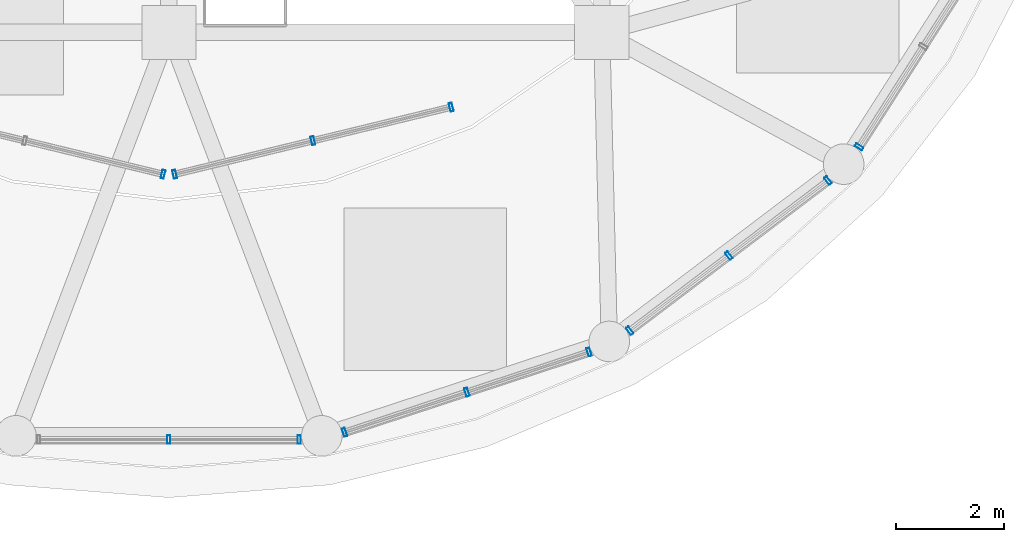
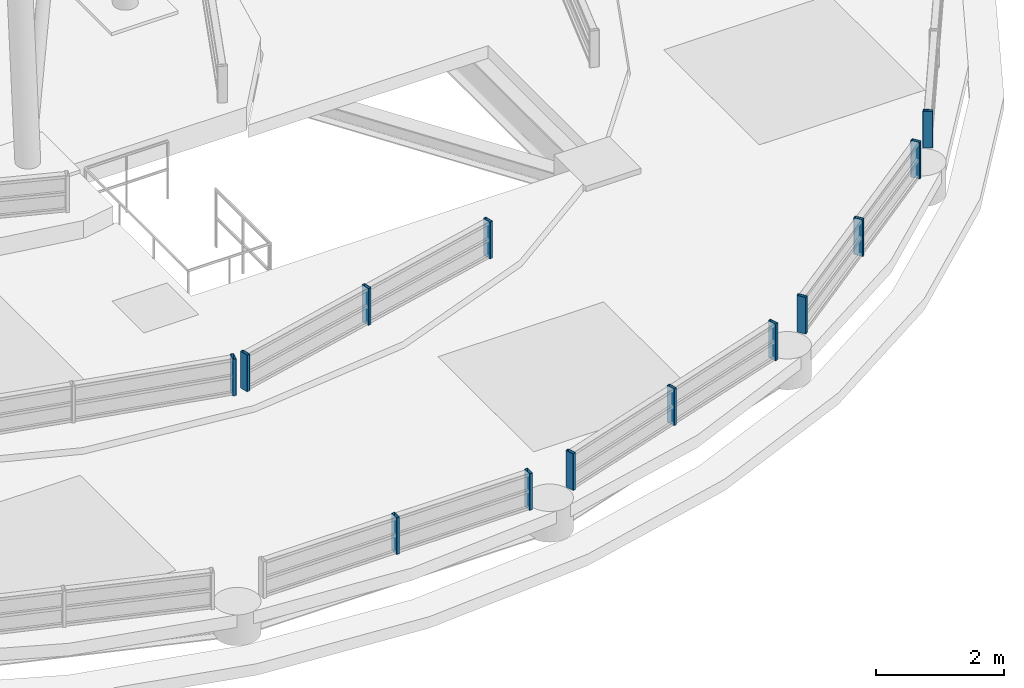
# One storey, part 10 of 21: 13 members, 6 elements without a shape of their own.
"""IFC4 building model written with IfcOpenShell, lengths in metres."""

from ifc_helpers import new_model, si_unit, direction, frame, origin, origin_2d, place, context, subcontext, project, spatial, hollow_rectangle, extrude, material, layer, layer_set, material_profile, profile_set, type_object, element, aggregate, save


model = new_model("IFC4")

# Units and contexts
model_context = context("Model", 3, precision=1e-05, world=origin(), true_north=direction((0.0, 1.0)))
body_context = subcontext(model_context, "Body", "Model", "MODEL_VIEW")
ifc_project = project(units=[si_unit("LENGTHUNIT", "METRE"), si_unit("AREAUNIT", "SQUARE_METRE"), si_unit("VOLUMEUNIT", "CUBIC_METRE"), si_unit("PLANEANGLEUNIT", "RADIAN"), si_unit("MASSUNIT", "GRAM", prefix="KILO")], contexts=[model_context])

# Site, building, storey
site_placement = place(None, origin())
site = spatial("IfcSite", under=ifc_project, at=site_placement, CompositionType="ELEMENT")
building_placement = place(site_placement, origin())
building = spatial("IfcBuilding", under=site, at=building_placement, Name="Kelanora Arch Commons", CompositionType="ELEMENT")
storey_placement = place(building_placement, frame((0.0, 0.0, 311.10009765625)))
storey = spatial("IfcBuildingStorey", under=building, at=storey_placement, Name="RF", CompositionType="ELEMENT", Elevation=311.10009765625)

# Curtain wall, members
ifc_material_1 = material(Name="Terracotta ceramic-fritted low-E glass and aluminium", Category="masonry")
ifc_layer = layer(ifc_material_1, 0.14990234375)
ifc_layer_set = layer_set([ifc_layer], Name="Terracotta ceramic-fritted low-E glass and aluminium")
curtain_wall_type = type_object("IfcCurtainWallType", Name="CW-SYS-06", PredefinedType="NOTDEFINED", material=ifc_layer_set)
curtain_wall_1_placement = place(storey_placement, origin())
curtain_wall_1 = element("IfcCurtainWall", 1, at=curtain_wall_1_placement, inside=storey, type_object=curtain_wall_type, Name="Sloped Glass Crown Lantern T1-14", PredefinedType="NOTDEFINED")
ifc_material_2 = material(Name="Powder-coated aluminium terracotta", Category="masonry")
ifc_material_profile = material_profile(ifc_material_2, hollow_rectangle(XDim=0.159912109375, YDim=0.06005859375, WallThickness=0.0048828125, InnerFilletRadius=0.0048828125, OuterFilletRadius=0.010009765625, at=origin_2d()), Name="CWM160x60")
ifc_profile_set = profile_set([ifc_material_profile], Name="Powder-coated aluminium terracotta")
member_type = type_object("IfcMemberType", Name="CWM-STD", PredefinedType="MULLION", material=ifc_profile_set)
member_1_placement = place(storey_placement, frame((74.0, 43.47412109375, 0.58984375), z_axis=(0.0, 0.0, 1.0), x_axis=(0.0, 1.0, 0.0)))
member_1 = element("IfcMember", 2, at=member_1_placement, type_object=member_type, Name="CW-06 mullion 2", PredefinedType="MULLION", context=body_context, shape_type="SweptSolid", body=[
    extrude(hollow_rectangle(XDim=0.159912109375, YDim=0.06005859375, WallThickness=0.0048828125, InnerFilletRadius=0.0048828125, OuterFilletRadius=0.010009765625, at=origin_2d()), origin(), (0.0, 0.0, 1.0), 0.699951171875),
])
member_2_placement = place(storey_placement, frame((76.4091796875, 43.47412109375, 0.58984375), z_axis=(0.0, 0.0, 1.0), x_axis=(0.0, 1.0, 0.0)))
member_2 = element("IfcMember", 3, at=member_2_placement, type_object=member_type, Name="CW-06 mullion 3", PredefinedType="MULLION", context=body_context, shape_type="SweptSolid", body=[
    extrude(hollow_rectangle(XDim=0.159912109375, YDim=0.06005859375, WallThickness=0.0048828125, InnerFilletRadius=0.0048828125, OuterFilletRadius=0.010009765625, at=origin_2d()), origin(), (0.0, 0.0, 1.0), 0.699951171875),
])
aggregate(curtain_wall_1, [member_1, member_2])

curtain_wall_2_placement = place(storey_placement, origin())
curtain_wall_2 = element("IfcCurtainWall", 4, at=curtain_wall_2_placement, inside=storey, type_object=curtain_wall_type, Name="Sloped Glass Crown Lantern T1-15", PredefinedType="NOTDEFINED")
member_3_placement = place(storey_placement, frame((77.24755859375, 43.608154296875, 0.58984375), z_axis=(0.0, 0.0, 1.0), x_axis=(-0.311945267732, 0.950100073645, 0.0)))
member_3 = element("IfcMember", 5, at=member_3_placement, type_object=member_type, Name="CW-06 mullion 1", PredefinedType="MULLION", context=body_context, shape_type="SweptSolid", body=[
    extrude(hollow_rectangle(XDim=0.159912109375, YDim=0.06005859375, WallThickness=0.0048828125, InnerFilletRadius=0.0048828125, OuterFilletRadius=0.010009765625, at=origin_2d()), origin(), (0.0, 0.0, 1.0), 0.699951171875),
])
member_4_placement = place(storey_placement, frame((79.507080078125, 44.35009765625, 0.58984375), z_axis=(0.0, 0.0, 1.0), x_axis=(-0.311945267732, 0.950100073645, 0.0)))
member_4 = element("IfcMember", 6, at=member_4_placement, type_object=member_type, Name="CW-06 mullion 2", PredefinedType="MULLION", context=body_context, shape_type="SweptSolid", body=[
    extrude(hollow_rectangle(XDim=0.159912109375, YDim=0.06005859375, WallThickness=0.0048828125, InnerFilletRadius=0.0048828125, OuterFilletRadius=0.010009765625, at=origin_2d()), origin(), (0.0, 0.0, 1.0), 0.699951171875),
])
member_5_placement = place(storey_placement, frame((81.7666015625, 45.092041015625, 0.58984375), z_axis=(0.0, 0.0, 1.0), x_axis=(-0.311945267732, 0.950100073645, 0.0)))
member_5 = element("IfcMember", 7, at=member_5_placement, type_object=member_type, Name="CW-06 mullion 3", PredefinedType="MULLION", context=body_context, shape_type="SweptSolid", body=[
    extrude(hollow_rectangle(XDim=0.159912109375, YDim=0.06005859375, WallThickness=0.0048828125, InnerFilletRadius=0.0048828125, OuterFilletRadius=0.010009765625, at=origin_2d()), origin(), (0.0, 0.0, 1.0), 0.699951171875),
])
aggregate(curtain_wall_2, [member_3, member_4, member_5])

curtain_wall_3_placement = place(storey_placement, origin())
curtain_wall_3 = element("IfcCurtainWall", 8, at=curtain_wall_3_placement, inside=storey, type_object=curtain_wall_type, Name="Sloped Glass Crown Lantern T1-16", PredefinedType="NOTDEFINED")
member_6_placement = place(storey_placement, frame((82.517822265625, 45.485595703125, 0.58984375), z_axis=(0.0, 0.0, 1.0), x_axis=(-0.603568166432, 0.797311399937, 0.0)))
member_6 = element("IfcMember", 9, at=member_6_placement, type_object=member_type, Name="CW-06 mullion 1", PredefinedType="MULLION", context=body_context, shape_type="SweptSolid", body=[
    extrude(hollow_rectangle(XDim=0.159912109375, YDim=0.06005859375, WallThickness=0.0048828125, InnerFilletRadius=0.0048828125, OuterFilletRadius=0.010009765625, at=origin_2d()), origin(), (0.0, 0.0, 1.0), 0.699951171875),
])
member_7_placement = place(storey_placement, frame((84.349853515625, 46.87255859375, 0.58984375), z_axis=(0.0, 0.0, 1.0), x_axis=(-0.603568166432, 0.797311399937, 0.0)))
member_7 = element("IfcMember", 10, at=member_7_placement, type_object=member_type, Name="CW-06 mullion 2", PredefinedType="MULLION", context=body_context, shape_type="SweptSolid", body=[
    extrude(hollow_rectangle(XDim=0.159912109375, YDim=0.06005859375, WallThickness=0.0048828125, InnerFilletRadius=0.0048828125, OuterFilletRadius=0.010009765625, at=origin_2d()), origin(), (0.0, 0.0, 1.0), 0.699951171875),
])
member_8_placement = place(storey_placement, frame((86.181884765625, 48.25927734375, 0.58984375), z_axis=(0.0, 0.0, 1.0), x_axis=(-0.603568166432, 0.797311399937, 0.0)))
member_8 = element("IfcMember", 11, at=member_8_placement, type_object=member_type, Name="CW-06 mullion 3", PredefinedType="MULLION", context=body_context, shape_type="SweptSolid", body=[
    extrude(hollow_rectangle(XDim=0.159912109375, YDim=0.06005859375, WallThickness=0.0048828125, InnerFilletRadius=0.0048828125, OuterFilletRadius=0.010009765625, at=origin_2d()), origin(), (0.0, 0.0, 1.0), 0.699951171875),
])
aggregate(curtain_wall_3, [member_6, member_7, member_8])

# Curtain wall, member
curtain_wall_4_placement = place(storey_placement, origin())
curtain_wall_4 = element("IfcCurtainWall", 12, at=curtain_wall_4_placement, inside=storey, type_object=curtain_wall_type, Name="Sloped Glass Crown Lantern T1-17", PredefinedType="NOTDEFINED")
member_9_placement = place(storey_placement, frame((86.756591796875, 48.881103515625, 0.58984375), z_axis=(0.0, 0.0, 1.0), x_axis=(-0.842271400663, 0.539053696421, 0.0)))
member_9 = element("IfcMember", 13, at=member_9_placement, type_object=member_type, Name="CW-06 mullion 1", PredefinedType="MULLION", context=body_context, shape_type="SweptSolid", body=[
    extrude(hollow_rectangle(XDim=0.159912109375, YDim=0.06005859375, WallThickness=0.0048828125, InnerFilletRadius=0.0048828125, OuterFilletRadius=0.010009765625, at=origin_2d()), origin(), (0.0, 0.0, 1.0), 0.699951171875),
])
aggregate(curtain_wall_4, [member_9])

curtain_wall_5_placement = place(storey_placement, origin())
curtain_wall_5 = element("IfcCurtainWall", 14, at=curtain_wall_5_placement, inside=storey, type_object=curtain_wall_type, Name="Sloped Glass Crown Lantern T2-09", PredefinedType="NOTDEFINED")
member_10_placement = place(storey_placement, frame((73.89306640625, 48.3759765625, 0.68994140625), z_axis=(0.0, 0.0, 1.0), x_axis=(0.235930888692, 0.971769836824, 0.0)))
member_10 = element("IfcMember", 15, at=member_10_placement, type_object=member_type, Name="CW-06 mullion 3", PredefinedType="MULLION", context=body_context, shape_type="SweptSolid", body=[
    extrude(hollow_rectangle(XDim=0.159912109375, YDim=0.06005859375, WallThickness=0.0048828125, InnerFilletRadius=0.0048828125, OuterFilletRadius=0.010009765625, at=origin_2d()), origin(), (0.0, 0.0, 1.0), 0.699951171875),
])
aggregate(curtain_wall_5, [member_10])

# Curtain wall, members
curtain_wall_6_placement = place(storey_placement, origin())
curtain_wall_6 = element("IfcCurtainWall", 16, at=curtain_wall_6_placement, inside=storey, type_object=curtain_wall_type, Name="Sloped Glass Crown Lantern T2-10", PredefinedType="NOTDEFINED")
member_11_placement = place(storey_placement, frame((74.10693359375, 48.3759765625, 0.68994140625), z_axis=(0.0, 0.0, 1.0), x_axis=(-0.235930888692, 0.971769836824, 0.0)))
member_11 = element("IfcMember", 17, at=member_11_placement, type_object=member_type, Name="CW-06 mullion 1", PredefinedType="MULLION", context=body_context, shape_type="SweptSolid", body=[
    extrude(hollow_rectangle(XDim=0.159912109375, YDim=0.06005859375, WallThickness=0.0048828125, InnerFilletRadius=0.0048828125, OuterFilletRadius=0.010009765625, at=origin_2d()), origin(), (0.0, 0.0, 1.0), 0.699951171875),
])
member_12_placement = place(storey_placement, frame((76.66259765625, 48.996337890625, 0.68994140625), z_axis=(0.0, 0.0, 1.0), x_axis=(-0.235930888692, 0.971769836824, 0.0)))
member_12 = element("IfcMember", 18, at=member_12_placement, type_object=member_type, Name="CW-06 mullion 2", PredefinedType="MULLION", context=body_context, shape_type="SweptSolid", body=[
    extrude(hollow_rectangle(XDim=0.159912109375, YDim=0.06005859375, WallThickness=0.0048828125, InnerFilletRadius=0.0048828125, OuterFilletRadius=0.010009765625, at=origin_2d()), origin(), (0.0, 0.0, 1.0), 0.699951171875),
])
member_13_placement = place(storey_placement, frame((79.21826171875, 49.616943359375, 0.68994140625), z_axis=(0.0, 0.0, 1.0), x_axis=(-0.235930888692, 0.971769836824, 0.0)))
member_13 = element("IfcMember", 19, at=member_13_placement, type_object=member_type, Name="CW-06 mullion 3", PredefinedType="MULLION", context=body_context, shape_type="SweptSolid", body=[
    extrude(hollow_rectangle(XDim=0.159912109375, YDim=0.06005859375, WallThickness=0.0048828125, InnerFilletRadius=0.0048828125, OuterFilletRadius=0.010009765625, at=origin_2d()), origin(), (0.0, 0.0, 1.0), 0.699951171875),
])
aggregate(curtain_wall_6, [member_11, member_12, member_13])

save(model, "model.ifc")
